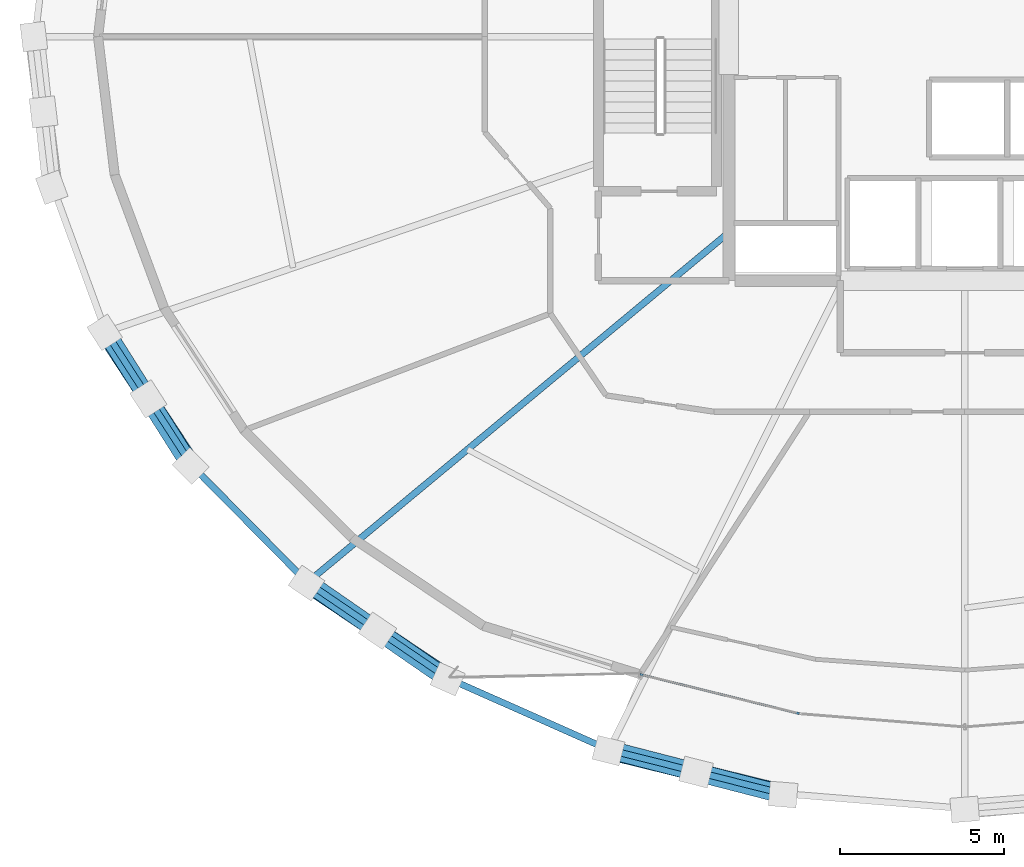
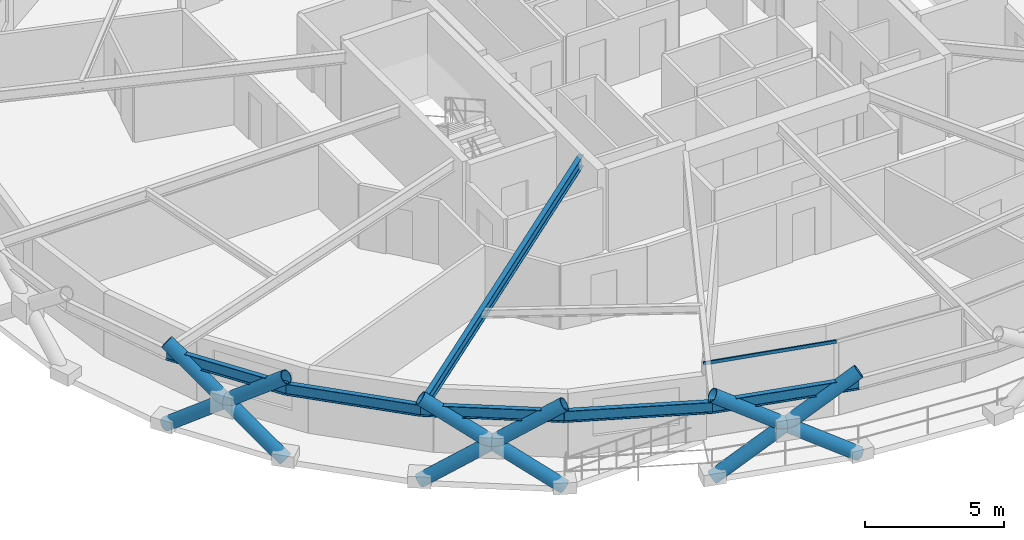
# One storey, part 1 of 21: 10 members, 6 beams, 1 element without a shape of its own.
"""IFC4 building model written with IfcOpenShell, lengths in metres."""

from ifc_helpers import new_model, si_unit, direction, frame, origin, origin_2d, place, context, subcontext, project, spatial, hollow_rectangle, hollow_circle, i_section, extrude, material, layer, layer_set, material_profile, profile_set, type_object, element, aggregate, save


model = new_model("IFC4")

# Units and contexts
model_context = context("Model", 3, precision=1e-05, world=origin(), true_north=direction((0.0, 1.0)))
body_context = subcontext(model_context, "Body", "Model", "MODEL_VIEW")
ifc_project = project(units=[si_unit("LENGTHUNIT", "METRE"), si_unit("AREAUNIT", "SQUARE_METRE"), si_unit("VOLUMEUNIT", "CUBIC_METRE"), si_unit("PLANEANGLEUNIT", "RADIAN"), si_unit("MASSUNIT", "GRAM", prefix="KILO")], contexts=[model_context])

# Site, building, storey
site_placement = place(None, origin())
site = spatial("IfcSite", under=ifc_project, at=site_placement, CompositionType="ELEMENT")
building_placement = place(site_placement, origin())
building = spatial("IfcBuilding", under=site, at=building_placement, Name="Veldorina Hangang Commons", CompositionType="ELEMENT")
storey_placement = place(building_placement, frame((0.0, 0.0, 142.39990234375)))
storey = spatial("IfcBuildingStorey", under=building, at=storey_placement, Name="L36", CompositionType="ELEMENT", Elevation=142.39990234375)

# Beams
ifc_material_1 = material(Name="Steel SM420-TMC", Category="steel")
ifc_material_profile_1 = material_profile(ifc_material_1, i_section(OverallWidth=0.199951171875, OverallDepth=0.5, WebThickness=0.010009765625, FlangeThickness=0.01611328125, FilletRadius=0.01611328125, at=origin_2d()), Name="H-500x200x10x16")
ifc_profile_set_1 = profile_set([ifc_material_profile_1], Name="Steel SM420-TMC")
beam_type_1 = type_object("IfcBeamType", Name="BM-FG500", PredefinedType="BEAM", material=ifc_profile_set_1)
beam_1_placement = place(storey_placement, frame((24.800048828125, 18.021240234375, 3.10009765625), z_axis=(-0.769328244643, -0.638853701558, 0.0), x_axis=(0.638853701558, -0.769328244643, 0.0)))
element("IfcBeam", 1, at=beam_1_placement, inside=storey, type_object=beam_type_1, Name="L36 radial floor girder 11", PredefinedType="BEAM", context=body_context, shape_type="SweptSolid", body=[
    extrude(i_section(OverallWidth=0.199951171875, OverallDepth=0.5, WebThickness=0.010009765625, FlangeThickness=0.01611328125, FilletRadius=0.01611328125, at=origin_2d()), origin(), (0.0, 0.0, 1.0), 16.72265625),
])
ifc_material_profile_2 = material_profile(ifc_material_1, i_section(OverallWidth=0.199951171875, OverallDepth=0.5, WebThickness=0.010009765625, FlangeThickness=0.01611328125, FilletRadius=0.01611328125, at=origin_2d()), Name="H-500x200x10x16")
ifc_profile_set_2 = profile_set([ifc_material_profile_2], Name="Steel SM420-TMC")
beam_type_2 = type_object("IfcBeamType", Name="BM-RB500", PredefinedType="BEAM", material=ifc_profile_set_2)
beam_2_placement = place(storey_placement, frame((5.783447265625, 14.982666015625, 3.10009765625), z_axis=(0.541243941663, -0.840865622804, 0.0), x_axis=(0.840865622804, 0.541243941663, 0.0)))
element("IfcBeam", 2, at=beam_2_placement, inside=storey, type_object=beam_type_2, Name="L36 perimeter hoop ring beam 18", PredefinedType="BEAM", context=body_context, shape_type="SweptSolid", body=[
    extrude(i_section(OverallWidth=0.199951171875, OverallDepth=0.5, WebThickness=0.010009765625, FlangeThickness=0.01611328125, FilletRadius=0.01611328125, at=origin_2d()), origin(), (0.0, 0.0, 1.0), 4.844970703125),
])
beam_3_placement = place(storey_placement, frame((8.40576171875, 10.90869140625, 3.10009765625), z_axis=(0.702936750629, -0.711252363521, 0.0), x_axis=(0.711252363521, 0.702936750629, 0.0)))
element("IfcBeam", 3, at=beam_3_placement, inside=storey, type_object=beam_type_2, Name="L36 perimeter hoop ring beam 19", PredefinedType="BEAM", context=body_context, shape_type="SweptSolid", body=[
    extrude(i_section(OverallWidth=0.199951171875, OverallDepth=0.5, WebThickness=0.010009765625, FlangeThickness=0.01611328125, FilletRadius=0.01611328125, at=origin_2d()), origin(), (0.0, 0.0, 1.0), 5.0205078125),
])
beam_4_placement = place(storey_placement, frame((11.934814453125, 7.337890625, 3.10009765625), z_axis=(0.826377201596, -0.563116968918, 0.0), x_axis=(0.563116968918, 0.826377201596, 0.0)))
element("IfcBeam", 4, at=beam_4_placement, inside=storey, type_object=beam_type_2, Name="L36 perimeter hoop ring beam 20", PredefinedType="BEAM", context=body_context, shape_type="SweptSolid", body=[
    extrude(i_section(OverallWidth=0.199951171875, OverallDepth=0.5, WebThickness=0.010009765625, FlangeThickness=0.01611328125, FilletRadius=0.01611328125, at=origin_2d()), origin(), (0.0, 0.0, 1.0), 5.20361328125),
])
beam_5_placement = place(storey_placement, frame((16.23486328125, 4.40771484375, 3.10009765625), z_axis=(0.913999013656, -0.405716407157, 0.0), x_axis=(0.405716407157, 0.913999013656, 0.0)))
element("IfcBeam", 5, at=beam_5_placement, inside=storey, type_object=beam_type_2, Name="L36 perimeter hoop ring beam 21", PredefinedType="BEAM", context=body_context, shape_type="SweptSolid", body=[
    extrude(i_section(OverallWidth=0.199951171875, OverallDepth=0.5, WebThickness=0.010009765625, FlangeThickness=0.01611328125, FilletRadius=0.01611328125, at=origin_2d()), origin(), (0.0, 0.0, 1.0), 5.36767578125),
])
beam_6_placement = place(storey_placement, frame((21.140869140625, 2.22998046875, 3.10009765625), z_axis=(0.969711938527, -0.244251420216, 0.0), x_axis=(0.244251420216, 0.969711938527, 0.0)))
element("IfcBeam", 6, at=beam_6_placement, inside=storey, type_object=beam_type_2, Name="L36 perimeter hoop ring beam 22", PredefinedType="BEAM", context=body_context, shape_type="SweptSolid", body=[
    extrude(i_section(OverallWidth=0.199951171875, OverallDepth=0.5, WebThickness=0.010009765625, FlangeThickness=0.01611328125, FilletRadius=0.01611328125, at=origin_2d()), origin(), (0.0, 0.0, 1.0), 5.489501953125),
])

# Curtain wall, member
ifc_material_2 = material(Name="Glass Low-E Triple IGU", Category="glass")
ifc_layer = layer(ifc_material_2, 0.179931640625)
ifc_layer_set = layer_set([ifc_layer], Name="Glass Low-E Triple IGU")
curtain_wall_type = type_object("IfcCurtainWallType", Name="CW-SYS-Z2", PredefinedType="NOTDEFINED", material=ifc_layer_set)
curtain_wall_placement = place(storey_placement, origin())
curtain_wall = element("IfcCurtainWall", 7, at=curtain_wall_placement, inside=storey, type_object=curtain_wall_type, Name="L36 unitised curtain wall CW-L36-R1", PredefinedType="NOTDEFINED")
ifc_material_3 = material(Name="Aluminium Anodized AA6063-T6", Category="aluminium")
ifc_material_profile_3 = material_profile(ifc_material_3, hollow_rectangle(XDim=0.06005859375, YDim=0.139892578125, WallThickness=0.00341796875, at=origin_2d()), Name="ALU-RHS-140x60x3.5")
ifc_profile_set_3 = profile_set([ifc_material_profile_3], Name="Aluminium Anodized AA6063-T6")
member_type_1 = type_object("IfcMemberType", Name="CW-TRN-140", PredefinedType="USERDEFINED", material=ifc_profile_set_3)
member_1_placement = place(storey_placement, frame((22.090576171875, 4.53369140625, 3.27001953125), z_axis=(0.970864328727, -0.239629829541, 0.0), x_axis=(0.239629829541, 0.970864328727, 0.0)))
member_1 = element("IfcMember", 8, at=member_1_placement, type_object=member_type_1, Name="CW-L36-R1 facet 1 transom 1", ObjectType="TRANSOM", PredefinedType="USERDEFINED", context=body_context, shape_type="SweptSolid", body=[
    extrude(hollow_rectangle(XDim=0.06005859375, YDim=0.139892578125, WallThickness=0.00341796875, at=origin_2d()), origin(), (0.0, 0.0, 1.0), 5.00341796875),
])
aggregate(curtain_wall, [member_1])

# Members
ifc_material_profile_4 = material_profile(ifc_material_1, hollow_circle(Radius=0.27490234375, WallThickness=0.028076171875, at=origin_2d()), Name="CHS-550x28")
ifc_profile_set_4 = profile_set([ifc_material_profile_4], Name="Steel SM420-TMC")
member_type_2 = type_object("IfcMemberType", Name="DG-CHS550", PredefinedType="BRACE", material=ifc_profile_set_4)
member_2_placement = place(storey_placement, frame((5.748291015625, 14.972412109375, 0.0), z_axis=(0.440450185788, -0.671821826571, 0.5955325912), x_axis=(0.836295005514, 0.548279731298, 0.0)))
element("IfcMember", 9, at=member_2_placement, inside=storey, type_object=member_type_2, Name="L36 continuous perimeter diagrid brace 18", PredefinedType="BRACE", context=body_context, shape_type="SweptSolid", body=[
    extrude(hollow_circle(Radius=0.27490234375, WallThickness=0.028076171875, at=origin_2d()), origin(), (0.0, 0.0, 1.0), 6.045166015625),
])
member_3_placement = place(storey_placement, frame((8.3740234375, 10.893798828125, 0.0), z_axis=(-0.428607764677, 0.678184011191, 0.596960493687), x_axis=(-0.845330718941, -0.534243367404, 0.0)))
element("IfcMember", 10, at=member_3_placement, inside=storey, type_object=member_type_2, Name="L36 split perimeter diagrid lower brace 19", PredefinedType="BRACE", context=body_context, shape_type="SweptSolid", body=[
    extrude(hollow_circle(Radius=0.27490234375, WallThickness=0.028076171875, at=origin_2d()), origin(), (0.0, 0.0, 1.0), 3.017822265625),
])
member_4_placement = place(storey_placement, frame((7.08056640625, 12.9404296875, 1.801513671875), z_axis=(-0.428610038071, 0.678240950604, 0.596894168331), x_axis=(-0.845349694285, -0.534213341628, 0.0)))
element("IfcMember", 11, at=member_4_placement, inside=storey, type_object=member_type_2, Name="L36 split perimeter diagrid upper brace 19", PredefinedType="BRACE", context=body_context, shape_type="SweptSolid", body=[
    extrude(hollow_circle(Radius=0.27490234375, WallThickness=0.028076171875, at=origin_2d()), origin(), (0.0, 0.0, 1.0), 3.01318359375),
])
member_5_placement = place(storey_placement, frame((11.90771484375, 7.319091796875, 0.0), z_axis=(0.683266013698, -0.458810547365, 0.56801446826), x_axis=(0.557472899166, 0.830195137721, 0.0)))
element("IfcMember", 12, at=member_5_placement, inside=storey, type_object=member_type_2, Name="L36 continuous perimeter diagrid brace 20", PredefinedType="BRACE", context=body_context, shape_type="SweptSolid", body=[
    extrude(hollow_circle(Radius=0.27490234375, WallThickness=0.028076171875, at=origin_2d()), origin(), (0.0, 0.0, 1.0), 6.338134765625),
])
member_6_placement = place(storey_placement, frame((16.213623046875, 4.385498046875, 0.0), z_axis=(-0.676167561401, 0.467397643173, 0.5695058139), x_axis=(-0.568619053968, -0.822600979494, 0.0)))
element("IfcMember", 13, at=member_6_placement, inside=storey, type_object=member_type_2, Name="L36 split perimeter diagrid lower brace 21", PredefinedType="BRACE", context=body_context, shape_type="SweptSolid", body=[
    extrude(hollow_circle(Radius=0.27490234375, WallThickness=0.028076171875, at=origin_2d()), origin(), (0.0, 0.0, 1.0), 3.163330078125),
])
member_7_placement = place(storey_placement, frame((14.07470703125, 5.864013671875, 1.801513671875), z_axis=(-0.676125871549, 0.467599625385, 0.56938949425), x_axis=(-0.568809018332, -0.822469635102, 0.0)))
element("IfcMember", 14, at=member_7_placement, inside=storey, type_object=member_type_2, Name="L36 split perimeter diagrid upper brace 21", PredefinedType="BRACE", context=body_context, shape_type="SweptSolid", body=[
    extrude(hollow_circle(Radius=0.27490234375, WallThickness=0.028076171875, at=origin_2d()), origin(), (0.0, 0.0, 1.0), 3.15869140625),
])
member_8_placement = place(storey_placement, frame((21.126220703125, 2.205322265625, 0.0), z_axis=(0.812418370602, -0.199649548364, 0.54782885005), x_axis=(0.238646702983, 0.971106457169, 0.0)))
element("IfcMember", 15, at=member_8_placement, inside=storey, type_object=member_type_2, Name="L36 continuous perimeter diagrid brace 22", PredefinedType="BRACE", context=body_context, shape_type="SweptSolid", body=[
    extrude(hollow_circle(Radius=0.27490234375, WallThickness=0.028076171875, at=origin_2d()), origin(), (0.0, 0.0, 1.0), 6.571533203125),
])
member_9_placement = place(storey_placement, frame((26.45654296875, 0.863037109375, 0.0), z_axis=(-0.809598922318, 0.20883042909, 0.548579471789), x_axis=(-0.249767760363, -0.968305770861, 0.0)))
element("IfcMember", 16, at=member_9_placement, inside=storey, type_object=member_type_2, Name="L36 split perimeter diagrid lower brace 23", PredefinedType="BRACE", context=body_context, shape_type="SweptSolid", body=[
    extrude(hollow_circle(Radius=0.27490234375, WallThickness=0.028076171875, at=origin_2d()), origin(), (0.0, 0.0, 1.0), 3.283935546875),
])
member_10_placement = place(storey_placement, frame((23.7978515625, 1.548828125, 1.801513671875), z_axis=(-0.809623037647, 0.208920566823, 0.548509556589), x_axis=(-0.249861860474, -0.968281493513, 0.0)))
element("IfcMember", 17, at=member_10_placement, inside=storey, type_object=member_type_2, Name="L36 split perimeter diagrid upper brace 23", PredefinedType="BRACE", context=body_context, shape_type="SweptSolid", body=[
    extrude(hollow_circle(Radius=0.27490234375, WallThickness=0.028076171875, at=origin_2d()), origin(), (0.0, 0.0, 1.0), 3.279052734375),
])

save(model, "model.ifc")
